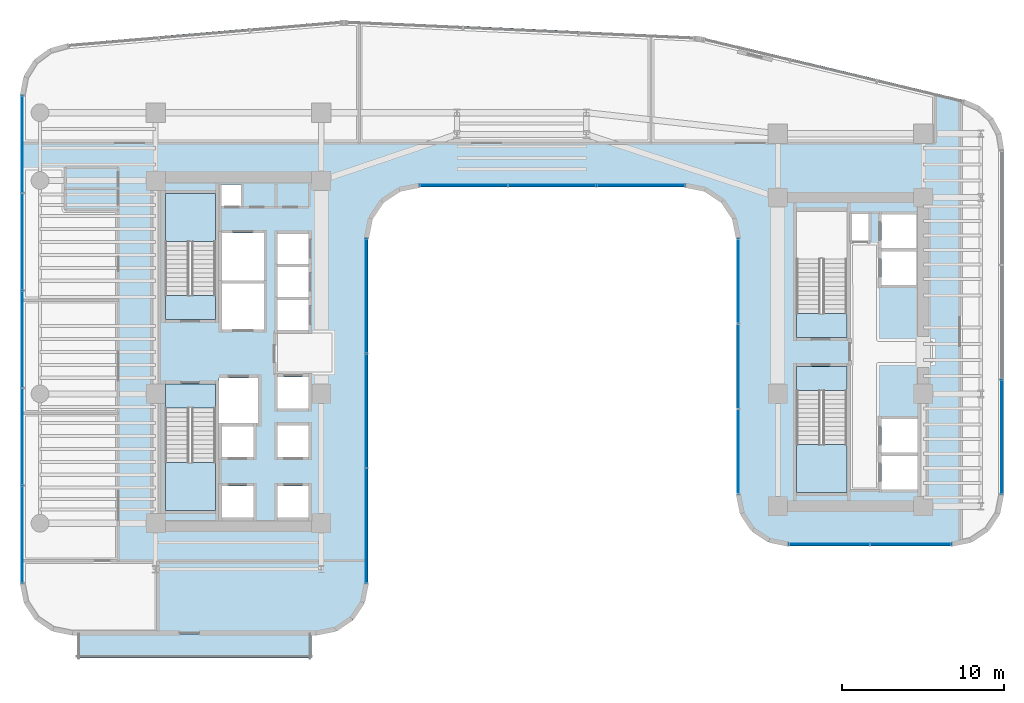
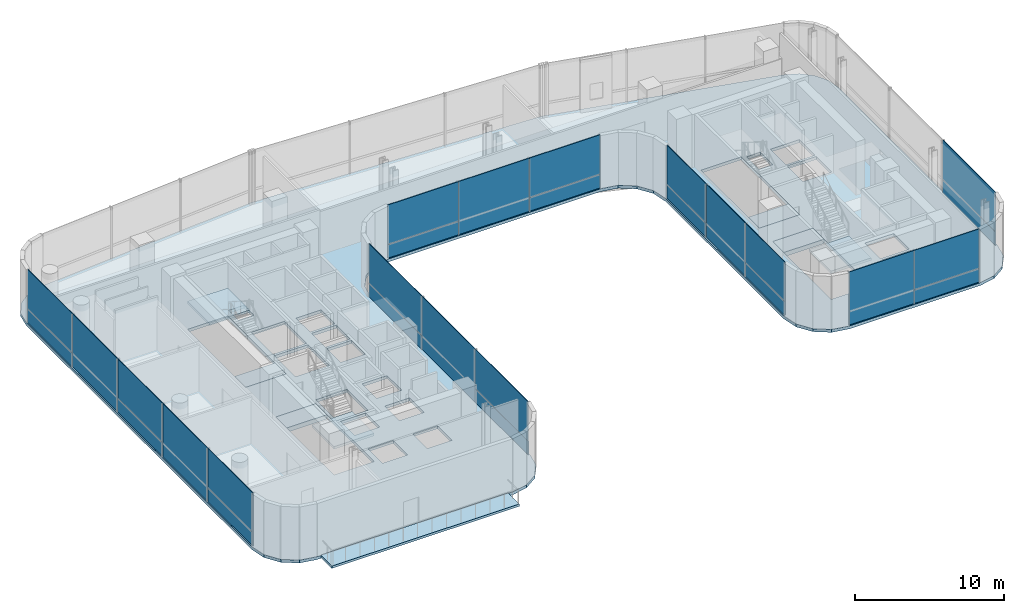
# One storey, part 23 of 32: 28 plates, 9 slabs, 9 elements without a shape of their own.
"""IFC4 building model written with IfcOpenShell, lengths in metres."""

from ifc_helpers import new_model, si_unit, direction, frame, origin, origin_2d, place, context, subcontext, project, spatial, polyline, rectangle, outline, extrude, source, transform, mapped, material, layer, layer_set, type_object, element, aggregate, save


model = new_model("IFC4")

# Units and contexts
model_context = context("Model", 3, precision=1e-05, world=origin(), true_north=direction((0.0, 1.0)))
body_context = subcontext(model_context, "Body", "Model", "MODEL_VIEW")
ifc_project = project(units=[si_unit("LENGTHUNIT", "METRE"), si_unit("AREAUNIT", "SQUARE_METRE"), si_unit("VOLUMEUNIT", "CUBIC_METRE"), si_unit("PLANEANGLEUNIT", "RADIAN"), si_unit("MASSUNIT", "GRAM", prefix="KILO")], contexts=[model_context])

# Site, building, storey
site_placement = place(None, origin())
site = spatial("IfcSite", under=ifc_project, at=site_placement, CompositionType="ELEMENT")
building_placement = place(site_placement, origin())
building = spatial("IfcBuilding", under=site, at=building_placement, Name="Valdorenza Pilgrim Sanctuary Tower", CompositionType="ELEMENT")
storey_placement = place(building_placement, frame((0.0, 0.0, 101.10009765625)))
storey = spatial("IfcBuildingStorey", under=building, at=storey_placement, Name="L25", CompositionType="ELEMENT", Elevation=101.10009765625)

# Slab
ifc_material_1 = material(Name="Concrete C40/50", Category="concrete")
ifc_layer_1 = layer(ifc_material_1, 0.239990234375, Name="Concrete C40/50")
ifc_layer_set_1 = layer_set([ifc_layer_1], Name="Concrete C40/50")
slab_type_1 = type_object("IfcSlabType", Name="SLAB-SKY-240", PredefinedType="FLOOR", material=ifc_layer_set_1)
slab_1_placement = place(storey_placement, frame((0.0, 0.0, -0.239990234375)))
element("IfcSlab", 1, at=slab_1_placement, inside=storey, type_object=slab_type_1, Name="L25 Structural Floor Slab 1", PredefinedType="FLOOR", context=body_context, shape_type="SweptSolid", body=[
    extrude(outline(polyline([(-31.0, 15.860595703125), (-30.78173828125, 17.022216796875), (-30.156494140625, 18.025390625), (-29.2099609375, 18.733154296875), (-28.071044921875, 19.049072265625), (-11.2080078125, 20.482421875), (-11.10400390625, 20.489501953125), (-11.0, 20.4931640625), (-10.895751953125, 20.49365234375), (-10.79150390625, 20.490478515625), (10.6962890625, 19.513916015625), (10.847412109375, 19.50341796875), (10.998046875, 19.485595703125), (11.147705078125, 19.4609375), (11.2958984375, 19.42919921875), (27.344970703125, 15.587646484375), (28.323974609375, 15.17138671875), (29.1123046875, 14.45751953125), (29.623291015625, 13.5244140625), (29.800048828125, 12.4755859375), (29.800048828125, -8.800048828125), (29.556396484375, -10.024658203125), (28.86279296875, -11.062744140625), (27.82470703125, -11.75634765625), (26.60009765625, -12.0), (16.5, -12.0), (15.275390625, -11.75634765625), (14.2373046875, -11.062744140625), (13.543701171875, -10.024658203125), (13.300048828125, -8.800048828125), (13.300048828125, 7.0), (13.056396484375, 8.224609375), (12.36279296875, 9.2626953125), (11.32470703125, 9.956298828125), (10.10009765625, 10.199951171875), (-6.300048828125, 10.199951171875), (-7.524658203125, 9.956298828125), (-8.562744140625, 9.2626953125), (-9.25634765625, 8.224609375), (-9.5, 7.0), (-9.5, -14.300048828125), (-9.74365234375, -15.524658203125), (-10.437255859375, -16.562744140625), (-11.475341796875, -17.25634765625), (-12.699951171875, -17.5), (-27.800048828125, -17.5), (-29.024658203125, -17.25634765625), (-30.062744140625, -16.562744140625), (-30.75634765625, -15.524658203125), (-31.0, -14.300048828125), (-31.0, 15.860595703125)]), holes=[polyline([(-16.60009765625, -10.25), (-16.60009765625, -8.300048828125), (-18.550048828125, -8.300048828125), (-18.550048828125, -10.25), (-16.60009765625, -10.25)]), polyline([(-22.050048828125, -9.800048828125), (-18.93994140625, -9.800048828125), (-18.93994140625, -3.485107421875), (-18.93994140625, -2.0), (-22.050048828125, -2.0), (-22.050048828125, -3.485107421875), (-22.050048828125, -9.800048828125)]), polyline([(-18.550048828125, -6.5), (-16.60009765625, -6.5), (-16.60009765625, -4.60009765625), (-18.550048828125, -4.60009765625), (-18.550048828125, -6.5)]), polyline([(-13.179931640625, -6.5), (-13.179931640625, -4.550048828125), (-15.10009765625, -4.550048828125), (-15.10009765625, -6.5), (-13.179931640625, -6.5)]), polyline([(-18.719970703125, -4.39990234375), (-16.300048828125, -4.39990234375), (-16.300048828125, -1.60009765625), (-18.719970703125, -1.60009765625), (-18.719970703125, -4.39990234375)]), polyline([(-13.179931640625, -3.5), (-13.179931640625, -1.550048828125), (-15.10009765625, -1.550048828125), (-15.10009765625, -3.5), (-13.179931640625, -3.5)]), polyline([(-22.050048828125, 2.0), (-18.93994140625, 2.0), (-18.93994140625, 3.485107421875), (-18.93994140625, 9.800048828125), (-22.050048828125, 9.800048828125), (-22.050048828125, 3.485107421875), (-22.050048828125, 2.0)]), polyline([(-18.550048828125, 1.39990234375), (-15.949951171875, 1.39990234375), (-15.949951171875, 4.22509765625), (-18.550048828125, 4.22509765625), (-18.550048828125, 1.39990234375)]), polyline([(-15.949951171875, 4.425048828125), (-15.949951171875, 7.35009765625), (-18.550048828125, 7.35009765625), (-18.550048828125, 4.425048828125), (-15.949951171875, 4.425048828125)]), polyline([(-15.10009765625, 5.449951171875), (-13.179931640625, 5.449951171875), (-13.179931640625, 7.300048828125), (-15.10009765625, 7.300048828125), (-15.10009765625, 5.449951171875)]), polyline([(-17.360107421875, 9.030029296875), (-17.360107421875, 10.35009765625), (-18.570068359375, 10.35009765625), (-18.570068359375, 9.030029296875), (-17.360107421875, 9.030029296875)]), polyline([(-15.10009765625, -10.25), (-13.179931640625, -10.25), (-13.179931640625, -8.300048828125), (-15.10009765625, -8.300048828125), (-15.10009765625, -10.25)]), polyline([(22.25, -8.5), (24.47998046875, -8.5), (24.47998046875, -6.425048828125), (22.25, -6.425048828125), (22.25, -8.5)]), polyline([(17.0, -2.385009765625), (17.0, -8.699951171875), (20.110107421875, -8.699951171875), (20.110107421875, -2.385009765625), (20.110107421875, -0.89990234375), (17.0, -0.89990234375), (17.0, -2.385009765625)]), polyline([(22.25, -6.22509765625), (24.47998046875, -6.22509765625), (24.47998046875, -4.14990234375), (22.25, -4.14990234375), (22.25, -6.22509765625)]), polyline([(17.0, 0.89990234375), (20.110107421875, 0.89990234375), (20.110107421875, 2.385009765625), (20.110107421875, 8.699951171875), (17.0, 8.699951171875), (17.0, 2.385009765625), (17.0, 0.89990234375)]), polyline([(-15.10009765625, 1.35009765625), (-13.179931640625, 1.35009765625), (-13.179931640625, 3.199951171875), (-15.10009765625, 3.199951171875), (-15.10009765625, 1.35009765625)]), polyline([(-15.10009765625, 3.39990234375), (-13.179931640625, 3.39990234375), (-13.179931640625, 5.25), (-15.10009765625, 5.25), (-15.10009765625, 3.39990234375)]), polyline([(22.25, 4.14990234375), (24.47998046875, 4.14990234375), (24.47998046875, 6.22509765625), (22.25, 6.22509765625), (22.25, 4.14990234375)]), polyline([(22.25, 6.425048828125), (24.47998046875, 6.425048828125), (24.47998046875, 8.5), (22.25, 8.5), (22.25, 6.425048828125)]), polyline([(20.409912109375, 6.860107421875), (21.489990234375, 6.860107421875), (21.489990234375, 8.52001953125), (20.409912109375, 8.52001953125), (20.409912109375, 6.860107421875)])]), origin(), (0.0, 0.0, 1.0), 0.239990234375),
])

# Stair, slab
stair_type = type_object("IfcStairType", Name="STR-DOG-CORE", PredefinedType="HALF_TURN_STAIR", material=ifc_material_1)
stair_1_placement = place(storey_placement, origin())
stair_1 = element("IfcStair", 2, at=stair_1_placement, inside=storey, type_object=stair_type, Name="L25 ST-A1", PredefinedType="HALF_TURN_STAIR")
ifc_layer_2 = layer(ifc_material_1, 0.199951171875, Name="Concrete C40/50")
ifc_layer_set_2 = layer_set([ifc_layer_2], Name="Concrete C40/50")
slab_type_2 = type_object("IfcSlabType", Name="SLAB-STL-200", PredefinedType="LANDING", material=ifc_layer_set_2)
slab_2_placement = place(storey_placement, frame((0.0, 0.0, 2.099853515625)))
slab_2 = element("IfcSlab", 3, at=slab_2_placement, type_object=slab_type_2, Name="ST-A1 landing 1", PredefinedType="LANDING", context=body_context, shape_type="SweptSolid", body=[
    extrude(outline(polyline([(-18.93994140625, 6.840087890625), (-18.93994140625, 9.800048828125), (-22.050048828125, 9.800048828125), (-22.050048828125, 6.840087890625), (-18.93994140625, 6.840087890625)])), origin(), (0.0, 0.0, 1.0), 0.199951171875),
])
aggregate(stair_1, [slab_2])

stair_2_placement = place(storey_placement, origin())
stair_2 = element("IfcStair", 4, at=stair_2_placement, inside=storey, type_object=stair_type, Name="L25 ST-A2", PredefinedType="HALF_TURN_STAIR")
slab_3_placement = place(storey_placement, frame((0.0, 0.0, 2.099853515625)))
slab_3 = element("IfcSlab", 5, at=slab_3_placement, type_object=slab_type_2, Name="ST-A2 landing 1", PredefinedType="LANDING", context=body_context, shape_type="SweptSolid", body=[
    extrude(outline(polyline([(-22.050048828125, -6.840087890625), (-22.050048828125, -9.800048828125), (-18.93994140625, -9.800048828125), (-18.93994140625, -6.840087890625), (-22.050048828125, -6.840087890625)])), origin(), (0.0, 0.0, 1.0), 0.199951171875),
])
aggregate(stair_2, [slab_3])

stair_3_placement = place(storey_placement, origin())
stair_3 = element("IfcStair", 6, at=stair_3_placement, inside=storey, type_object=stair_type, Name="L25 ST-B2", PredefinedType="HALF_TURN_STAIR")
slab_4_placement = place(storey_placement, frame((0.0, 0.0, 2.099853515625)))
slab_4 = element("IfcSlab", 7, at=slab_4_placement, type_object=slab_type_2, Name="ST-B2 landing 1", PredefinedType="LANDING", context=body_context, shape_type="SweptSolid", body=[
    extrude(outline(polyline([(17.0, -5.739990234375), (17.0, -8.699951171875), (20.110107421875, -8.699951171875), (20.110107421875, -5.739990234375), (17.0, -5.739990234375)])), origin(), (0.0, 0.0, 1.0), 0.199951171875),
])
aggregate(stair_3, [slab_4])

# Slabs
ifc_layer_3 = layer(ifc_material_1, 0.18994140625, Name="Concrete C40/50")
ifc_layer_set_3 = layer_set([ifc_layer_3], Name="Concrete C40/50")
slab_type_3 = type_object("IfcSlabType", Name="SLAB-TER-190", PredefinedType="FLOOR", material=ifc_layer_set_3)
slab_5_placement = place(storey_placement, frame((0.0, 0.0, -0.190185546875)))
element("IfcSlab", 8, at=slab_5_placement, inside=storey, type_object=slab_type_3, Name="Pilgrim Sky Tea Terrace", PredefinedType="FLOOR", context=body_context, shape_type="SweptSolid", body=[
    extrude(outline(polyline([(-27.5, -18.949951171875), (-13.0, -18.949951171875), (-13.0, -17.449951171875), (-27.5, -17.449951171875), (-27.5, -18.949951171875)])), origin(), (0.0, 0.0, 1.0), 0.190185546875),
])
ifc_material_2 = material(Name="Concrete C50/60", Category="concrete")
ifc_layer_4 = layer(ifc_material_2, 0.39990234375, Name="Concrete C50/60")
ifc_layer_set_4 = layer_set([ifc_layer_4], Name="Concrete C50/60")
slab_type_4 = type_object("IfcSlabType", Name="SLAB-TRF-400", PredefinedType="FLOOR", material=ifc_layer_set_4)
slab_6_placement = place(storey_placement, frame((0.0, 0.0, -0.360107421875)))
element("IfcSlab", 9, at=slab_6_placement, inside=storey, type_object=slab_type_4, Name="L25 ST-A1 Structural Stair Landing Bearing Slab", PredefinedType="FLOOR", context=body_context, shape_type="SweptSolid", body=[
    extrude(outline(polyline([(-22.050048828125, 2.0), (-18.93994140625, 2.0), (-18.93994140625, 3.485107421875), (-22.050048828125, 3.485107421875), (-22.050048828125, 2.0)])), origin(), (0.0, 0.0, 1.0), 0.360107421875),
])
slab_7_placement = place(storey_placement, frame((0.0, 0.0, -0.360107421875)))
element("IfcSlab", 10, at=slab_7_placement, inside=storey, type_object=slab_type_4, Name="L25 ST-A2 Structural Stair Landing Bearing Slab", PredefinedType="FLOOR", context=body_context, shape_type="SweptSolid", body=[
    extrude(outline(polyline([(-22.050048828125, -3.485107421875), (-18.93994140625, -3.485107421875), (-18.93994140625, -2.0), (-22.050048828125, -2.0), (-22.050048828125, -3.485107421875)])), origin(), (0.0, 0.0, 1.0), 0.360107421875),
])
slab_8_placement = place(storey_placement, frame((0.0, 0.0, -0.360107421875)))
element("IfcSlab", 11, at=slab_8_placement, inside=storey, type_object=slab_type_4, Name="L25 ST-B1 Structural Stair Landing Bearing Slab", PredefinedType="FLOOR", context=body_context, shape_type="SweptSolid", body=[
    extrude(outline(polyline([(17.0, 0.89990234375), (20.110107421875, 0.89990234375), (20.110107421875, 2.385009765625), (17.0, 2.385009765625), (17.0, 0.89990234375)])), origin(), (0.0, 0.0, 1.0), 0.360107421875),
])
slab_9_placement = place(storey_placement, frame((0.0, 0.0, -0.360107421875)))
element("IfcSlab", 12, at=slab_9_placement, inside=storey, type_object=slab_type_4, Name="L25 ST-B2 Structural Stair Landing Bearing Slab", PredefinedType="FLOOR", context=body_context, shape_type="SweptSolid", body=[
    extrude(outline(polyline([(17.0, -2.385009765625), (20.110107421875, -2.385009765625), (20.110107421875, -0.89990234375), (17.0, -0.89990234375), (17.0, -2.385009765625)])), origin(), (0.0, 0.0, 1.0), 0.360107421875),
])

# Curtain wall, plates
ifc_material_3 = material(Name="Curtain-wall IGU glazing", Category="glass")
curtain_wall_type = type_object("IfcCurtainWallType", Name="CW-SYS-04", PredefinedType="NOTDEFINED", material=ifc_material_3)
curtain_wall_1_placement = place(storey_placement, origin())
curtain_wall_1 = element("IfcCurtainWall", 13, at=curtain_wall_1_placement, inside=storey, type_object=curtain_wall_type, Name="L25 Curtain Wall CW-L25-1-36", PredefinedType="NOTDEFINED")
ifc_material_4 = material(Name="Honed travertine limestone", Category="masonry")
ifc_layer_5 = layer(ifc_material_4, 0.050048828125, Name="Honed travertine limestone")
ifc_layer_set_5 = layer_set([ifc_layer_5], Name="Honed travertine limestone")
plate_type_1 = type_object("IfcPlateType", Name="CW-SPN-TRV", PredefinedType="USERDEFINED", material=ifc_layer_set_5)
shared_shape_1 = source(origin(), body_context, "Body", "SweptSolid", [
    extrude(rectangle(XDim=5.453857421875, YDim=0.06005859375, at=origin_2d()), origin(), (0.0, 0.0, 1.0), 1.10009765625),
])
plate_1_placement = place(storey_placement, frame((7.373779296875, 10.31005859375, 0.009765625), z_axis=(0.0, 0.0, 1.0), x_axis=(-1.0, 0.0, 0.0)))
plate_1 = element("IfcPlate", 14, at=plate_1_placement, type_object=plate_type_1, Name="CW-L25-1-36 Travertine Spandrel 1", ObjectType="SPANDREL", PredefinedType="USERDEFINED", context=body_context, shape_type="MappedRepresentation", body=[
    mapped(shared_shape_1, transform((0.0, 0.0, 0.0), x_axis=(1.0, 0.0, 0.0), y_axis=(0.0, 1.0, 0.0), z_axis=(0.0, 0.0, 1.0), scale=1.0)),
])
plate_2_placement = place(storey_placement, frame((-3.573974609375, 10.31005859375, 0.009765625), z_axis=(0.0, 0.0, 1.0), x_axis=(-1.0, 0.0, 0.0)))
plate_2 = element("IfcPlate", 15, at=plate_2_placement, type_object=plate_type_1, Name="CW-L25-1-36 Travertine Spandrel 3", ObjectType="SPANDREL", PredefinedType="USERDEFINED", context=body_context, shape_type="MappedRepresentation", body=[
    mapped(shared_shape_1, transform((0.0, 0.0, 0.0), x_axis=(1.0, 0.0, 0.0), y_axis=(0.0, 1.0, 0.0), z_axis=(0.0, 0.0, 1.0), scale=1.0)),
])

curtain_wall_2_placement = place(storey_placement, origin())
curtain_wall_2 = element("IfcCurtainWall", 16, at=curtain_wall_2_placement, inside=storey, type_object=curtain_wall_type, Name="L25 Curtain Wall CW-L25-1-1", PredefinedType="NOTDEFINED")
shared_shape_2 = source(origin(), body_context, "Body", "SweptSolid", [
    extrude(rectangle(XDim=6.0078125, YDim=0.06005859375, at=origin_2d()), origin(), (0.0, 0.0, 1.0), 1.10009765625),
])
plate_3_placement = place(storey_placement, frame((-30.889892578125, -11.275146484375, 0.009765625), z_axis=(0.0, 0.0, 1.0), x_axis=(0.0, 1.0, 0.0)))
plate_3 = element("IfcPlate", 17, at=plate_3_placement, type_object=plate_type_1, Name="CW-L25-1-1 Travertine Spandrel 1", ObjectType="SPANDREL", PredefinedType="USERDEFINED", context=body_context, shape_type="MappedRepresentation", body=[
    mapped(shared_shape_2, transform((0.0, 0.0, 0.0), x_axis=(1.0, 0.0, 0.0), y_axis=(0.0, 1.0, 0.0), z_axis=(0.0, 0.0, 1.0), scale=1.0)),
])
plate_4_placement = place(storey_placement, frame((-30.889892578125, 0.780517578125, 0.009765625), z_axis=(0.0, 0.0, 1.0), x_axis=(0.0, 1.0, 0.0)))
plate_4 = element("IfcPlate", 18, at=plate_4_placement, type_object=plate_type_1, Name="CW-L25-1-1 Travertine Spandrel 3", ObjectType="SPANDREL", PredefinedType="USERDEFINED", context=body_context, shape_type="MappedRepresentation", body=[
    mapped(shared_shape_2, transform((0.0, 0.0, 0.0), x_axis=(1.0, 0.0, 0.0), y_axis=(0.0, 1.0, 0.0), z_axis=(0.0, 0.0, 1.0), scale=1.0)),
])
plate_5_placement = place(storey_placement, frame((-30.889892578125, 12.83642578125, 0.009765625), z_axis=(0.0, 0.0, 1.0), x_axis=(0.0, 1.0, 0.0)))
plate_5 = element("IfcPlate", 19, at=plate_5_placement, type_object=plate_type_1, Name="CW-L25-1-1 Travertine Spandrel 5", ObjectType="SPANDREL", PredefinedType="USERDEFINED", context=body_context, shape_type="MappedRepresentation", body=[
    mapped(shared_shape_2, transform((0.0, 0.0, 0.0), x_axis=(1.0, 0.0, 0.0), y_axis=(0.0, 1.0, 0.0), z_axis=(0.0, 0.0, 1.0), scale=1.0)),
])
ifc_material_5 = material(Name="Ceramic-fritted low-E IGU glazing", Category="glass")
ifc_layer_6 = layer(ifc_material_5, 0.035888671875, Name="Ceramic-fritted low-E IGU glazing")
ifc_layer_set_6 = layer_set([ifc_layer_6], Name="Ceramic-fritted low-E IGU glazing")
plate_type_2 = type_object("IfcPlateType", Name="CW-GLZ-IGU", PredefinedType="USERDEFINED", material=ifc_layer_set_6)
shared_shape_3 = source(origin(), body_context, "Body", "SweptSolid", [
    extrude(rectangle(XDim=6.0078125, YDim=0.050048828125, at=origin_2d()), origin(), (0.0, 0.0, 1.0), 3.219970703125),
])
plate_6_placement = place(storey_placement, frame((-30.889892578125, -11.275146484375, 1.1298828125), z_axis=(0.0, 0.0, 1.0), x_axis=(0.0, 1.0, 0.0)))
plate_6 = element("IfcPlate", 20, at=plate_6_placement, type_object=plate_type_2, Name="CW-L25-1-1 Facade Panel 1", ObjectType="GLAZING", PredefinedType="USERDEFINED", context=body_context, shape_type="MappedRepresentation", body=[
    mapped(shared_shape_3, transform((0.0, 0.0, 0.0), x_axis=(1.0, 0.0, 0.0), y_axis=(0.0, 1.0, 0.0), z_axis=(0.0, 0.0, 1.0), scale=1.0)),
])
plate_7_placement = place(storey_placement, frame((-30.889892578125, 0.780517578125, 1.1298828125), z_axis=(0.0, 0.0, 1.0), x_axis=(0.0, 1.0, 0.0)))
plate_7 = element("IfcPlate", 21, at=plate_7_placement, type_object=plate_type_2, Name="CW-L25-1-1 Facade Panel 3", ObjectType="GLAZING", PredefinedType="USERDEFINED", context=body_context, shape_type="MappedRepresentation", body=[
    mapped(shared_shape_3, transform((0.0, 0.0, 0.0), x_axis=(1.0, 0.0, 0.0), y_axis=(0.0, 1.0, 0.0), z_axis=(0.0, 0.0, 1.0), scale=1.0)),
])
plate_8_placement = place(storey_placement, frame((-30.889892578125, 12.83642578125, 1.1298828125), z_axis=(0.0, 0.0, 1.0), x_axis=(0.0, 1.0, 0.0)))
plate_8 = element("IfcPlate", 22, at=plate_8_placement, type_object=plate_type_2, Name="CW-L25-1-1 Facade Panel 5", ObjectType="GLAZING", PredefinedType="USERDEFINED", context=body_context, shape_type="MappedRepresentation", body=[
    mapped(shared_shape_3, transform((0.0, 0.0, 0.0), x_axis=(1.0, 0.0, 0.0), y_axis=(0.0, 1.0, 0.0), z_axis=(0.0, 0.0, 1.0), scale=1.0)),
])
shared_shape_4 = source(origin(), body_context, "Body", "SweptSolid", [
    extrude(rectangle(XDim=6.0078125, YDim=0.050048828125, at=origin_2d()), origin(), (0.0, 0.0, 1.0), 4.340087890625),
])
plate_9_placement = place(storey_placement, frame((-30.889892578125, -5.247314453125, 0.009765625), z_axis=(0.0, 0.0, 1.0), x_axis=(0.0, 1.0, 0.0)))
plate_9 = element("IfcPlate", 23, at=plate_9_placement, type_object=plate_type_2, Name="CW-L25-1-1 Full-Height Facade Panel 2", ObjectType="GLAZING", PredefinedType="USERDEFINED", context=body_context, shape_type="MappedRepresentation", body=[
    mapped(shared_shape_4, transform((0.0, 0.0, 0.0), x_axis=(1.0, 0.0, 0.0), y_axis=(0.0, 1.0, 0.0), z_axis=(0.0, 0.0, 1.0), scale=1.0)),
])
plate_10_placement = place(storey_placement, frame((-30.889892578125, 6.808349609375, 0.009765625), z_axis=(0.0, 0.0, 1.0), x_axis=(0.0, 1.0, 0.0)))
plate_10 = element("IfcPlate", 24, at=plate_10_placement, type_object=plate_type_2, Name="CW-L25-1-1 Full-Height Facade Panel 4", ObjectType="GLAZING", PredefinedType="USERDEFINED", context=body_context, shape_type="MappedRepresentation", body=[
    mapped(shared_shape_4, transform((0.0, 0.0, 0.0), x_axis=(1.0, 0.0, 0.0), y_axis=(0.0, 1.0, 0.0), z_axis=(0.0, 0.0, 1.0), scale=1.0)),
])
aggregate(curtain_wall_2, [plate_3, plate_6, plate_9, plate_4, plate_7, plate_10, plate_5, plate_8])

curtain_wall_3_placement = place(storey_placement, origin())
curtain_wall_3 = element("IfcCurtainWall", 25, at=curtain_wall_3_placement, inside=storey, type_object=curtain_wall_type, Name="L25 Curtain Wall CW-L25-1-21", PredefinedType="NOTDEFINED")
shared_shape_5 = source(origin(), body_context, "Body", "SweptSolid", [
    extrude(rectangle(XDim=7.065185546875, YDim=0.06005859375, at=origin_2d()), origin(), (0.0, 0.0, 1.0), 1.10009765625),
])
plate_11_placement = place(storey_placement, frame((29.68994140625, -5.24658203125, 0.009765625), z_axis=(0.0, 0.0, 1.0), x_axis=(0.0, -1.0, 0.0)))
plate_11 = element("IfcPlate", 26, at=plate_11_placement, type_object=plate_type_1, Name="CW-L25-1-21 Travertine Spandrel 3", ObjectType="SPANDREL", PredefinedType="USERDEFINED", context=body_context, shape_type="MappedRepresentation", body=[
    mapped(shared_shape_5, transform((0.0, 0.0, 0.0), x_axis=(1.0, 0.0, 0.0), y_axis=(0.0, 1.0, 0.0), z_axis=(0.0, 0.0, 1.0), scale=1.0)),
])
shared_shape_6 = source(origin(), body_context, "Body", "SweptSolid", [
    extrude(rectangle(XDim=7.065185546875, YDim=0.050048828125, at=origin_2d()), origin(), (0.0, 0.0, 1.0), 3.219970703125),
])
plate_12_placement = place(storey_placement, frame((29.68994140625, -5.24658203125, 1.1298828125), z_axis=(0.0, 0.0, 1.0), x_axis=(0.0, -1.0, 0.0)))
plate_12 = element("IfcPlate", 27, at=plate_12_placement, type_object=plate_type_2, Name="CW-L25-1-21 Facade Panel 3", ObjectType="GLAZING", PredefinedType="USERDEFINED", context=body_context, shape_type="MappedRepresentation", body=[
    mapped(shared_shape_6, transform((0.0, 0.0, 0.0), x_axis=(1.0, 0.0, 0.0), y_axis=(0.0, 1.0, 0.0), z_axis=(0.0, 0.0, 1.0), scale=1.0)),
])
aggregate(curtain_wall_3, [plate_11, plate_12])

curtain_wall_4_placement = place(storey_placement, origin())
curtain_wall_4 = element("IfcCurtainWall", 28, at=curtain_wall_4_placement, inside=storey, type_object=curtain_wall_type, Name="L25 Curtain Wall CW-L25-1-26", PredefinedType="NOTDEFINED")
shared_shape_7 = source(origin(), body_context, "Body", "SweptSolid", [
    extrude(rectangle(XDim=5.019287109375, YDim=0.06005859375, at=origin_2d()), origin(), (0.0, 0.0, 1.0), 1.10009765625),
])
plate_13_placement = place(storey_placement, frame((24.069580078125, -11.889892578125, 0.009765625), z_axis=(0.0, 0.0, 1.0), x_axis=(-1.0, 0.0, 0.0)))
plate_13 = element("IfcPlate", 29, at=plate_13_placement, type_object=plate_type_1, Name="CW-L25-1-26 Travertine Spandrel 1", ObjectType="SPANDREL", PredefinedType="USERDEFINED", context=body_context, shape_type="MappedRepresentation", body=[
    mapped(shared_shape_7, transform((0.0, 0.0, 0.0), x_axis=(1.0, 0.0, 0.0), y_axis=(0.0, 1.0, 0.0), z_axis=(0.0, 0.0, 1.0), scale=1.0)),
])
shared_shape_8 = source(origin(), body_context, "Body", "SweptSolid", [
    extrude(rectangle(XDim=5.019287109375, YDim=0.050048828125, at=origin_2d()), origin(), (0.0, 0.0, 1.0), 3.219970703125),
])
plate_14_placement = place(storey_placement, frame((24.069580078125, -11.889892578125, 1.1298828125), z_axis=(0.0, 0.0, 1.0), x_axis=(-1.0, 0.0, 0.0)))
plate_14 = element("IfcPlate", 30, at=plate_14_placement, type_object=plate_type_2, Name="CW-L25-1-26 Facade Panel 1", ObjectType="GLAZING", PredefinedType="USERDEFINED", context=body_context, shape_type="MappedRepresentation", body=[
    mapped(shared_shape_8, transform((0.0, 0.0, 0.0), x_axis=(1.0, 0.0, 0.0), y_axis=(0.0, 1.0, 0.0), z_axis=(0.0, 0.0, 1.0), scale=1.0)),
])
shared_shape_9 = source(origin(), body_context, "Body", "SweptSolid", [
    extrude(rectangle(XDim=5.019287109375, YDim=0.050048828125, at=origin_2d()), origin(), (0.0, 0.0, 1.0), 4.340087890625),
])
plate_15_placement = place(storey_placement, frame((19.030517578125, -11.889892578125, 0.009765625), z_axis=(0.0, 0.0, 1.0), x_axis=(-1.0, 0.0, 0.0)))
plate_15 = element("IfcPlate", 31, at=plate_15_placement, type_object=plate_type_2, Name="CW-L25-1-26 Full-Height Facade Panel 2", ObjectType="GLAZING", PredefinedType="USERDEFINED", context=body_context, shape_type="MappedRepresentation", body=[
    mapped(shared_shape_9, transform((0.0, 0.0, 0.0), x_axis=(1.0, 0.0, 0.0), y_axis=(0.0, 1.0, 0.0), z_axis=(0.0, 0.0, 1.0), scale=1.0)),
])
aggregate(curtain_wall_4, [plate_13, plate_14, plate_15])

curtain_wall_5_placement = place(storey_placement, origin())
curtain_wall_5 = element("IfcCurtainWall", 32, at=curtain_wall_5_placement, inside=storey, type_object=curtain_wall_type, Name="L25 Curtain Wall CW-L25-1-31", PredefinedType="NOTDEFINED")
shared_shape_10 = source(origin(), body_context, "Body", "SweptSolid", [
    extrude(rectangle(XDim=5.24658203125, YDim=0.06005859375, at=origin_2d()), origin(), (0.0, 0.0, 1.0), 1.10009765625),
])
plate_16_placement = place(storey_placement, frame((13.409912109375, -6.156005859375, 0.009765625), z_axis=(0.0, 0.0, 1.0), x_axis=(0.0, 1.0, 0.0)))
plate_16 = element("IfcPlate", 33, at=plate_16_placement, type_object=plate_type_1, Name="CW-L25-1-31 Travertine Spandrel 1", ObjectType="SPANDREL", PredefinedType="USERDEFINED", context=body_context, shape_type="MappedRepresentation", body=[
    mapped(shared_shape_10, transform((0.0, 0.0, 0.0), x_axis=(1.0, 0.0, 0.0), y_axis=(0.0, 1.0, 0.0), z_axis=(0.0, 0.0, 1.0), scale=1.0)),
])
plate_17_placement = place(storey_placement, frame((13.409912109375, 4.37744140625, 0.009765625), z_axis=(0.0, 0.0, 1.0), x_axis=(0.0, 1.0, 0.0)))
plate_17 = element("IfcPlate", 34, at=plate_17_placement, type_object=plate_type_1, Name="CW-L25-1-31 Travertine Spandrel 3", ObjectType="SPANDREL", PredefinedType="USERDEFINED", context=body_context, shape_type="MappedRepresentation", body=[
    mapped(shared_shape_10, transform((0.0, 0.0, 0.0), x_axis=(1.0, 0.0, 0.0), y_axis=(0.0, 1.0, 0.0), z_axis=(0.0, 0.0, 1.0), scale=1.0)),
])
shared_shape_11 = source(origin(), body_context, "Body", "SweptSolid", [
    extrude(rectangle(XDim=5.24658203125, YDim=0.050048828125, at=origin_2d()), origin(), (0.0, 0.0, 1.0), 3.219970703125),
])
plate_18_placement = place(storey_placement, frame((13.409912109375, -6.156005859375, 1.1298828125), z_axis=(0.0, 0.0, 1.0), x_axis=(0.0, 1.0, 0.0)))
plate_18 = element("IfcPlate", 35, at=plate_18_placement, type_object=plate_type_2, Name="CW-L25-1-31 Facade Panel 1", ObjectType="GLAZING", PredefinedType="USERDEFINED", context=body_context, shape_type="MappedRepresentation", body=[
    mapped(shared_shape_11, transform((0.0, 0.0, 0.0), x_axis=(1.0, 0.0, 0.0), y_axis=(0.0, 1.0, 0.0), z_axis=(0.0, 0.0, 1.0), scale=1.0)),
])
plate_19_placement = place(storey_placement, frame((13.409912109375, 4.37744140625, 1.1298828125), z_axis=(0.0, 0.0, 1.0), x_axis=(0.0, 1.0, 0.0)))
plate_19 = element("IfcPlate", 36, at=plate_19_placement, type_object=plate_type_2, Name="CW-L25-1-31 Facade Panel 3", ObjectType="GLAZING", PredefinedType="USERDEFINED", context=body_context, shape_type="MappedRepresentation", body=[
    mapped(shared_shape_11, transform((0.0, 0.0, 0.0), x_axis=(1.0, 0.0, 0.0), y_axis=(0.0, 1.0, 0.0), z_axis=(0.0, 0.0, 1.0), scale=1.0)),
])
shared_shape_12 = source(origin(), body_context, "Body", "SweptSolid", [
    extrude(rectangle(XDim=5.24658203125, YDim=0.050048828125, at=origin_2d()), origin(), (0.0, 0.0, 1.0), 4.340087890625),
])
plate_20_placement = place(storey_placement, frame((13.409912109375, -0.88916015625, 0.009765625), z_axis=(0.0, 0.0, 1.0), x_axis=(0.0, 1.0, 0.0)))
plate_20 = element("IfcPlate", 37, at=plate_20_placement, type_object=plate_type_2, Name="CW-L25-1-31 Full-Height Facade Panel 2", ObjectType="GLAZING", PredefinedType="USERDEFINED", context=body_context, shape_type="MappedRepresentation", body=[
    mapped(shared_shape_12, transform((0.0, 0.0, 0.0), x_axis=(1.0, 0.0, 0.0), y_axis=(0.0, 1.0, 0.0), z_axis=(0.0, 0.0, 1.0), scale=1.0)),
])
aggregate(curtain_wall_5, [plate_16, plate_18, plate_20, plate_17, plate_19])

# Plate
shared_shape_13 = source(origin(), body_context, "Body", "SweptSolid", [
    extrude(rectangle(XDim=5.453857421875, YDim=0.050048828125, at=origin_2d()), origin(), (0.0, 0.0, 1.0), 3.219970703125),
])
plate_21_placement = place(storey_placement, frame((7.373779296875, 10.31005859375, 1.1298828125), z_axis=(0.0, 0.0, 1.0), x_axis=(-1.0, 0.0, 0.0)))
plate_21 = element("IfcPlate", 38, at=plate_21_placement, type_object=plate_type_2, Name="CW-L25-1-36 Facade Panel 1", ObjectType="GLAZING", PredefinedType="USERDEFINED", context=body_context, shape_type="MappedRepresentation", body=[
    mapped(shared_shape_13, transform((0.0, 0.0, 0.0), x_axis=(1.0, 0.0, 0.0), y_axis=(0.0, 1.0, 0.0), z_axis=(0.0, 0.0, 1.0), scale=1.0)),
])

plate_22_placement = place(storey_placement, frame((-3.573974609375, 10.31005859375, 1.1298828125), z_axis=(0.0, 0.0, 1.0), x_axis=(-1.0, 0.0, 0.0)))
plate_22 = element("IfcPlate", 39, at=plate_22_placement, type_object=plate_type_2, Name="CW-L25-1-36 Facade Panel 3", ObjectType="GLAZING", PredefinedType="USERDEFINED", context=body_context, shape_type="MappedRepresentation", body=[
    mapped(shared_shape_13, transform((0.0, 0.0, 0.0), x_axis=(1.0, 0.0, 0.0), y_axis=(0.0, 1.0, 0.0), z_axis=(0.0, 0.0, 1.0), scale=1.0)),
])

shared_shape_14 = source(origin(), body_context, "Body", "SweptSolid", [
    extrude(rectangle(XDim=5.453857421875, YDim=0.050048828125, at=origin_2d()), origin(), (0.0, 0.0, 1.0), 4.340087890625),
])
plate_23_placement = place(storey_placement, frame((1.89990234375, 10.31005859375, 0.009765625), z_axis=(0.0, 0.0, 1.0), x_axis=(-1.0, 0.0, 0.0)))
plate_23 = element("IfcPlate", 40, at=plate_23_placement, type_object=plate_type_2, Name="CW-L25-1-36 Full-Height Facade Panel 2", ObjectType="GLAZING", PredefinedType="USERDEFINED", context=body_context, shape_type="MappedRepresentation", body=[
    mapped(shared_shape_14, transform((0.0, 0.0, 0.0), x_axis=(1.0, 0.0, 0.0), y_axis=(0.0, 1.0, 0.0), z_axis=(0.0, 0.0, 1.0), scale=1.0)),
])

aggregate(curtain_wall_1, [plate_1, plate_21, plate_23, plate_2, plate_22])

# Curtain wall, plates
curtain_wall_6_placement = place(storey_placement, origin())
curtain_wall_6 = element("IfcCurtainWall", 41, at=curtain_wall_6_placement, inside=storey, type_object=curtain_wall_type, Name="L25 Curtain Wall CW-L25-1-41", PredefinedType="NOTDEFINED")
shared_shape_15 = source(origin(), body_context, "Body", "SweptSolid", [
    extrude(rectangle(XDim=7.080078125, YDim=0.06005859375, at=origin_2d()), origin(), (0.0, 0.0, 1.0), 1.10009765625),
])
plate_24_placement = place(storey_placement, frame((-9.610107421875, 3.460693359375, 0.009765625), z_axis=(0.0, 0.0, 1.0), x_axis=(0.0, -1.0, 0.0)))
plate_24 = element("IfcPlate", 42, at=plate_24_placement, type_object=plate_type_1, Name="CW-L25-1-41 Travertine Spandrel 1", ObjectType="SPANDREL", PredefinedType="USERDEFINED", context=body_context, shape_type="MappedRepresentation", body=[
    mapped(shared_shape_15, transform((0.0, 0.0, 0.0), x_axis=(1.0, 0.0, 0.0), y_axis=(0.0, 1.0, 0.0), z_axis=(0.0, 0.0, 1.0), scale=1.0)),
])
plate_25_placement = place(storey_placement, frame((-9.610107421875, -10.7392578125, 0.009765625), z_axis=(0.0, 0.0, 1.0), x_axis=(0.0, -1.0, 0.0)))
plate_25 = element("IfcPlate", 43, at=plate_25_placement, type_object=plate_type_1, Name="CW-L25-1-41 Travertine Spandrel 3", ObjectType="SPANDREL", PredefinedType="USERDEFINED", context=body_context, shape_type="MappedRepresentation", body=[
    mapped(shared_shape_15, transform((0.0, 0.0, 0.0), x_axis=(1.0, 0.0, 0.0), y_axis=(0.0, 1.0, 0.0), z_axis=(0.0, 0.0, 1.0), scale=1.0)),
])
shared_shape_16 = source(origin(), body_context, "Body", "SweptSolid", [
    extrude(rectangle(XDim=7.080078125, YDim=0.050048828125, at=origin_2d()), origin(), (0.0, 0.0, 1.0), 3.219970703125),
])
plate_26_placement = place(storey_placement, frame((-9.610107421875, 3.460693359375, 1.1298828125), z_axis=(0.0, 0.0, 1.0), x_axis=(0.0, -1.0, 0.0)))
plate_26 = element("IfcPlate", 44, at=plate_26_placement, type_object=plate_type_2, Name="CW-L25-1-41 Facade Panel 1", ObjectType="GLAZING", PredefinedType="USERDEFINED", context=body_context, shape_type="MappedRepresentation", body=[
    mapped(shared_shape_16, transform((0.0, 0.0, 0.0), x_axis=(1.0, 0.0, 0.0), y_axis=(0.0, 1.0, 0.0), z_axis=(0.0, 0.0, 1.0), scale=1.0)),
])
plate_27_placement = place(storey_placement, frame((-9.610107421875, -10.7392578125, 1.1298828125), z_axis=(0.0, 0.0, 1.0), x_axis=(0.0, -1.0, 0.0)))
plate_27 = element("IfcPlate", 45, at=plate_27_placement, type_object=plate_type_2, Name="CW-L25-1-41 Facade Panel 3", ObjectType="GLAZING", PredefinedType="USERDEFINED", context=body_context, shape_type="MappedRepresentation", body=[
    mapped(shared_shape_16, transform((0.0, 0.0, 0.0), x_axis=(1.0, 0.0, 0.0), y_axis=(0.0, 1.0, 0.0), z_axis=(0.0, 0.0, 1.0), scale=1.0)),
])
shared_shape_17 = source(origin(), body_context, "Body", "SweptSolid", [
    extrude(rectangle(XDim=7.080078125, YDim=0.050048828125, at=origin_2d()), origin(), (0.0, 0.0, 1.0), 4.340087890625),
])
plate_28_placement = place(storey_placement, frame((-9.610107421875, -3.63916015625, 0.009765625), z_axis=(0.0, 0.0, 1.0), x_axis=(0.0, -1.0, 0.0)))
plate_28 = element("IfcPlate", 46, at=plate_28_placement, type_object=plate_type_2, Name="CW-L25-1-41 Full-Height Facade Panel 2", ObjectType="GLAZING", PredefinedType="USERDEFINED", context=body_context, shape_type="MappedRepresentation", body=[
    mapped(shared_shape_17, transform((0.0, 0.0, 0.0), x_axis=(1.0, 0.0, 0.0), y_axis=(0.0, 1.0, 0.0), z_axis=(0.0, 0.0, 1.0), scale=1.0)),
])
aggregate(curtain_wall_6, [plate_24, plate_26, plate_28, plate_25, plate_27])

save(model, "model.ifc")
